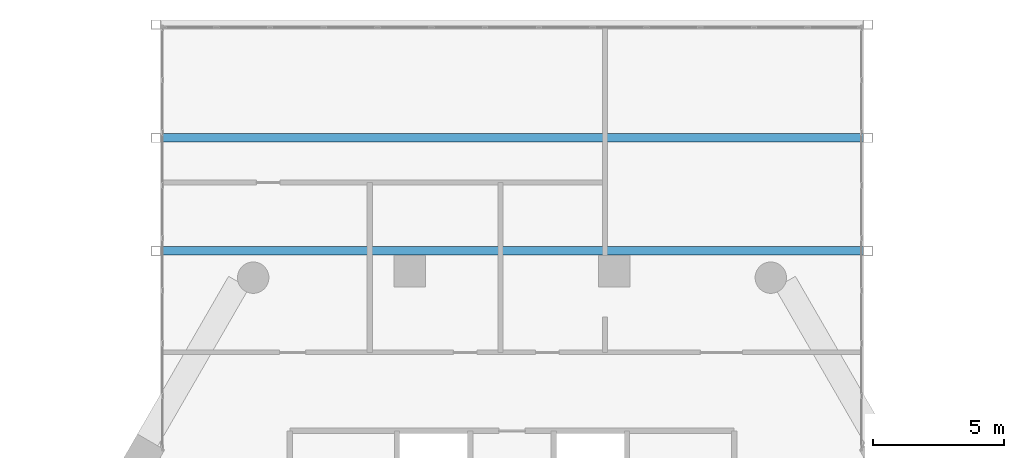
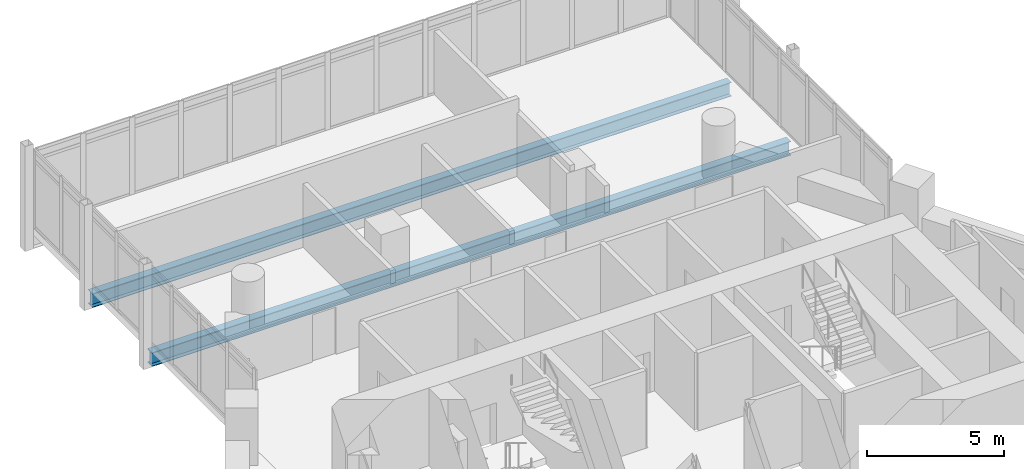
# One storey, part 14 of 28: 2 beams.
"""IFC4 building model written with IfcOpenShell, lengths in metres."""

import ifcopenshell
import ifcopenshell.guid

model = None  # the IFC model being written
_history = None  # IfcOwnerHistory: only IFC2X3 demands one
_inside = {}  # id of a spatial element -> (the spatial element, [elements in it])
_under = {}  # id of a project, library or spatial element -> (it, [spatial elements below it])
_declared = {}  # id of a project -> (the project, [libraries it declares])
_typed = {}  # id of a type object -> (the type object, [elements of that type])
_made_of = {}  # id of a material, layer set ... -> (it, [elements and type objects made of it])


def new_model(schema):
    """Start an empty IFC model of exactly this schema.

    Asked for "IFC4X3", IfcOpenShell would pick the latest addendum, in which some entities
    have other attributes; the version numbers below select the first issue.
    IFC2X3 requires an IfcOwnerHistory on every rooted entity: one is made here for all.
    """
    global model, _history
    if schema == "IFC4X3":
        model = ifcopenshell.file(schema_version=(4, 3, 0, 0))
    else:
        model = ifcopenshell.file(schema=schema)
    _inside.clear()
    _under.clear()
    _declared.clear()
    _typed.clear()
    _made_of.clear()
    _history = None
    if model.schema == "IFC2X3":
        org = make("IfcOrganization", Name="unknown")
        user = make(
            "IfcPersonAndOrganization",
            ThePerson=make("IfcPerson", FamilyName="unknown"),
            TheOrganization=org,
        )
        app = make(
            "IfcApplication",
            ApplicationDeveloper=org,
            Version="unknown",
            ApplicationFullName="unknown",
            ApplicationIdentifier="unknown",
        )
        _history = make(
            "IfcOwnerHistory",
            OwningUser=user,
            OwningApplication=app,
            ChangeAction="ADDED",
            CreationDate=0,
        )
    return model


def make(cls, **values):
    """One entity of the class cls with the attributes given. An attribute that is None is left unset."""
    return model.create_entity(
        cls, **{name: value for name, value in values.items() if value is not None}
    )


def rooted(cls, **values):
    """An entity with a GlobalId (a new one), such as an element, a storey or a relation."""
    return make(cls, GlobalId=ifcopenshell.guid.new(), OwnerHistory=_history, **values)


def si_unit(unit_type, name, prefix=None):
    """IfcSIUnit, for example si_unit("LENGTHUNIT", "METRE", prefix="MILLI")."""
    return make("IfcSIUnit", UnitType=unit_type, Prefix=prefix, Name=name)


def assignment(units):
    """IfcUnitAssignment: the units of a project."""
    return None if units is None else make("IfcUnitAssignment", Units=units)


def point(xyz):
    """IfcCartesianPoint."""
    return None if xyz is None else make("IfcCartesianPoint", Coordinates=xyz)


def direction(xyz):
    """IfcDirection."""
    return None if xyz is None else make("IfcDirection", DirectionRatios=xyz)


def frame(location, z_axis=None, x_axis=None):
    """IfcAxis2Placement3D, a coordinate frame: its origin and axes. An axis left out is left unset."""
    return make(
        "IfcAxis2Placement3D",
        Location=point(location),
        Axis=direction(z_axis),
        RefDirection=direction(x_axis),
    )


def frame_2d(location, x_axis=None):
    """IfcAxis2Placement2D, a coordinate frame in the plane: its origin and x axis."""
    return make(
        "IfcAxis2Placement2D", Location=point(location), RefDirection=direction(x_axis)
    )


def origin():
    """The frame at (0, 0, 0) with its axes left unset."""
    return frame((0.0, 0.0, 0.0))


def origin_2d():
    """The frame at (0, 0) in the plane with its x axis left unset."""
    return frame_2d((0.0, 0.0))


def place(relative_to, where):
    """IfcLocalPlacement: puts the frame where relative to a parent placement (None: the world)."""
    return make(
        "IfcLocalPlacement", PlacementRelTo=relative_to, RelativePlacement=where
    )


def context(
    kind, dimensions, precision=None, world=None, true_north=None, identifier=None
):
    """IfcGeometricRepresentationContext, for example the 3D "Model" context."""
    return make(
        "IfcGeometricRepresentationContext",
        ContextIdentifier=identifier,
        ContextType=kind,
        CoordinateSpaceDimension=dimensions,
        Precision=precision,
        WorldCoordinateSystem=world,
        TrueNorth=true_north,
    )


def subcontext(parent, identifier, kind, view, scale=None):
    """IfcGeometricRepresentationSubContext, for example "Body" below "Model"."""
    return make(
        "IfcGeometricRepresentationSubContext",
        ContextIdentifier=identifier,
        ContextType=kind,
        ParentContext=parent,
        TargetScale=scale,
        TargetView=view,
    )


def project(units=None, contexts=None):
    """IfcProject with its units and contexts."""
    return rooted(
        "IfcProject",
        Name="project",
        RepresentationContexts=contexts,
        UnitsInContext=assignment(units),
    )


def spatial(cls, under=None, at=None, **own):
    """A site, building, storey or space (cls), placed at a placement, below another one or the project."""
    s = rooted(cls, ObjectPlacement=at, **own)
    if under is not None:
        _under.setdefault(under.id(), (under, []))[1].append(s)
    return s


def profile(cls, at=None, kind="AREA", **sizes):
    """A parametric profile (cls). Its sizes go by their IFC names, for example OverallWidth=200.0."""
    return make(cls, ProfileType=kind, Position=at, **sizes)


def i_section(**sizes):
    """IfcIShapeProfileDef."""
    return profile("IfcIShapeProfileDef", **sizes)


def extrude(swept, where, along, depth):
    """IfcExtrudedAreaSolid: the profile swept, set in the frame where, extruded along a direction by depth."""
    return make(
        "IfcExtrudedAreaSolid",
        SweptArea=swept,
        Position=where,
        ExtrudedDirection=direction(along),
        Depth=depth,
    )


def shape(context_of_items, identifier, shape_type, items):
    """IfcShapeRepresentation: the items that make up one representation, for example the "Body"."""
    return make(
        "IfcShapeRepresentation",
        ContextOfItems=context_of_items,
        RepresentationIdentifier=identifier,
        RepresentationType=shape_type,
        Items=items,
    )


def material(Name=None, Category=None):
    """IfcMaterial."""
    return make("IfcMaterial", Name=Name, Category=Category)


def material_profile(
    of_material, cross_section, Name=None, Category=None, Priority=None
):
    """IfcMaterialProfile: a cross section and its material."""
    return make(
        "IfcMaterialProfile",
        Name=Name,
        Material=of_material,
        Profile=cross_section,
        Priority=Priority,
        Category=Category,
    )


def profile_set(profiles, Name=None, composite=None):
    """IfcMaterialProfileSet."""
    return make(
        "IfcMaterialProfileSet",
        Name=Name,
        MaterialProfiles=profiles,
        CompositeProfile=composite,
    )


def made_of(thing, what):
    """Note that an element or type object is made of a material, layer set ...; save() writes the relation."""
    if what is not None:
        _made_of.setdefault(what.id(), (what, []))[1].append(thing)
    return thing


def type_object(cls, material=None, **own):
    """A type object (cls), such as IfcWallType, which elements share."""
    return made_of(rooted(cls, **own), material)


def element(
    cls,
    number,
    at=None,
    inside=None,
    cuts=None,
    type_object=None,
    material=None,
    context=None,
    identifier="Body",
    shape_type=None,
    held_by="IfcProductDefinitionShape",
    body=None,
    shapes=None,
    **own,
):
    """One element of the class cls, such as IfcWall. Its Tag is "e" and its number.

    at: its placement. inside: the storey or other place that contains it. cuts: it is an
    opening in that element (IfcRelVoidsElement). A single representation is given by context,
    identifier, shape_type and body (its items); several are given by shapes. held_by: the class
    of the entity that holds the representations. save() writes the other relations.
    """
    e = rooted(cls, Tag="e%d" % number, ObjectPlacement=at, **own)
    if body is not None:
        shapes = [shape(context, identifier, shape_type, body)]
    if shapes is not None:
        e.Representation = make(held_by, Representations=shapes)
    if inside is not None:
        _inside.setdefault(inside.id(), (inside, []))[1].append(e)
    if cuts is not None:
        rooted(
            "IfcRelVoidsElement", RelatingBuildingElement=cuts, RelatedOpeningElement=e
        )
    if type_object is not None:
        _typed.setdefault(type_object.id(), (type_object, []))[1].append(e)
    return made_of(e, material)


def aggregate(whole, parts):
    """IfcRelAggregates: a whole, such as a stair, and the parts it consists of."""
    return rooted("IfcRelAggregates", RelatingObject=whole, RelatedObjects=parts)


def save(model, path):
    """Write the relations noted so far, then the file.

    IfcRelAggregates (storeys below a building ...), IfcRelContainedInSpatialStructure (elements
    in a storey), IfcRelDefinesByType, IfcRelAssociatesMaterial and IfcRelDeclares: one each for
    every whole, place, type object, material and project.
    """
    for whole, parts in _under.values():
        aggregate(whole, parts)
    for where, things in _inside.values():
        rooted(
            "IfcRelContainedInSpatialStructure",
            RelatedElements=things,
            RelatingStructure=where,
        )
    for kind, things in _typed.values():
        rooted("IfcRelDefinesByType", RelatedObjects=things, RelatingType=kind)
    for what, things in _made_of.values():
        rooted("IfcRelAssociatesMaterial", RelatedObjects=things, RelatingMaterial=what)
    for by, libraries in _declared.values():
        rooted("IfcRelDeclares", RelatingContext=by, RelatedDefinitions=libraries)
    model.write(path)


model = new_model("IFC4")

# Units and contexts
model_context = context("Model", 3, precision=1e-05, world=origin(), true_north=direction((0.0, 1.0)))
body_context = subcontext(model_context, "Body", "Model", "MODEL_VIEW")
ifc_project = project(units=[si_unit("LENGTHUNIT", "METRE"), si_unit("AREAUNIT", "SQUARE_METRE"), si_unit("VOLUMEUNIT", "CUBIC_METRE"), si_unit("PLANEANGLEUNIT", "RADIAN"), si_unit("MASSUNIT", "GRAM", prefix="KILO")], contexts=[model_context])

# Site, building, storey
site_placement = place(None, origin())
site = spatial("IfcSite", under=ifc_project, at=site_placement, CompositionType="ELEMENT")
building_placement = place(site_placement, origin())
building = spatial("IfcBuilding", under=site, at=building_placement, Name="Ostrander Bayou Hotel Tower", CompositionType="ELEMENT")
storey_placement = place(building_placement, frame((0.0, 0.0, 142.25)))
storey = spatial("IfcBuildingStorey", under=building, at=storey_placement, Name="L35", CompositionType="ELEMENT", Elevation=142.25)

# Beams
ifc_material = material(Name="Steel ASTM A992", Category="steel")
ifc_material_profile = material_profile(ifc_material, i_section(OverallWidth=0.32763671875, OverallDepth=0.621826171875, WebThickness=0.015380859375, FlangeThickness=0.0244140625, at=origin_2d()))
ifc_profile_set = profile_set([ifc_material_profile], Name="Steel ASTM A992")
beam_type = type_object("IfcBeamType", Name="TF1 bar floor beam W24x131", PredefinedType="BEAM", material=ifc_profile_set)
for number, where, z_axis, x_axis, name in (
    (1, (-13.442138671875, 24.809326171875, -0.61083984375), (1.0, 0.0, 0.0), (0.0, 1.0, 0.0), "TF1 SB3W L4-2"),
    (2, (-13.442138671875, 20.481689453125, -0.61083984375), (1.0, 0.0, 0.0), (0.0, 1.0, 0.0), "TF1 SB3W L4-3"),
):
    element("IfcBeam", number, at=place(storey_placement, frame(where, z_axis=z_axis, x_axis=x_axis)), inside=storey, type_object=beam_type, Name=name, PredefinedType="BEAM", context=body_context, shape_type="SweptSolid", body=[
        extrude(i_section(OverallWidth=0.32763671875, OverallDepth=0.621826171875, WebThickness=0.015380859375, FlangeThickness=0.0244140625, at=origin_2d()), origin(), (0.0, 0.0, 1.0), 26.88427734375),
    ])

save(model, "model.ifc")
